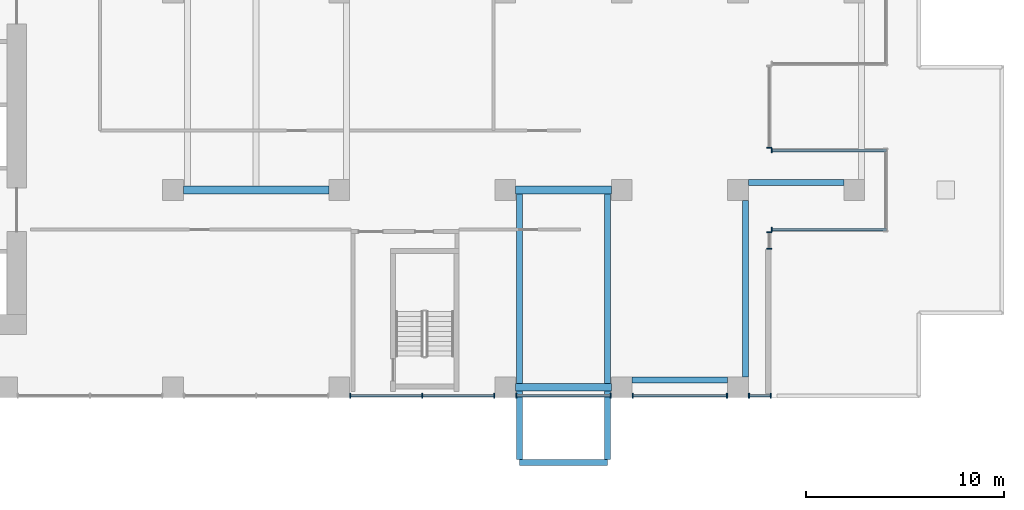
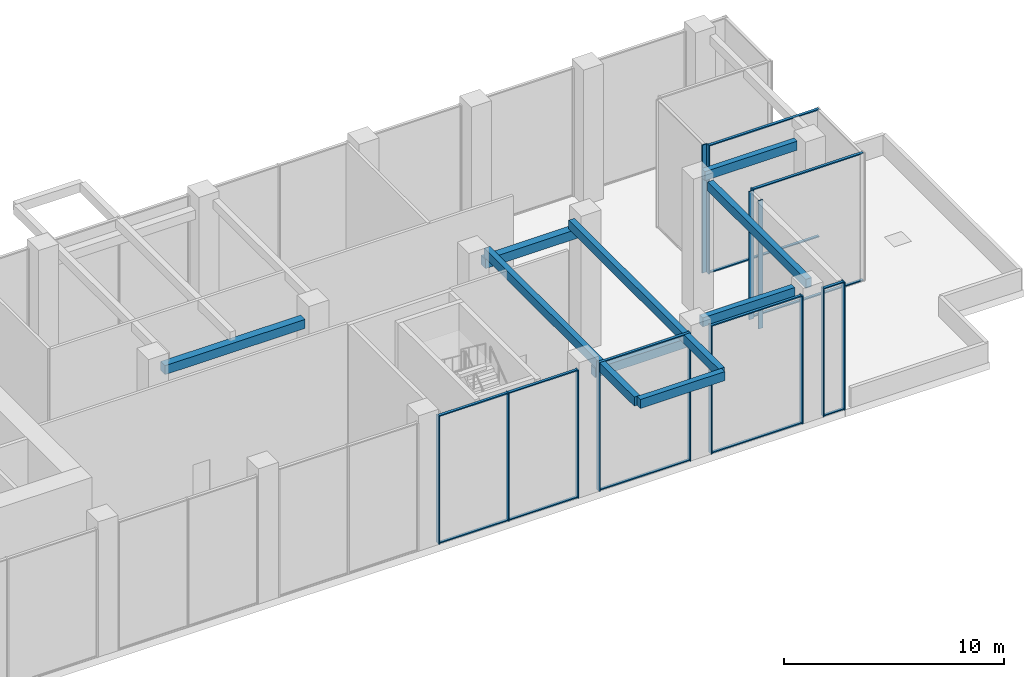
# One storey, part 4 of 18: 31 members, 6 beams, 8 elements without a shape of their own.
"""IFC4 building model written with IfcOpenShell, lengths in metres."""

from ifc_helpers import new_model, si_unit, direction, frame, origin, origin_2d, place, context, subcontext, project, spatial, rectangle, extrude, source, transform, mapped, material, layer, layer_set, material_profile, profile_set, type_object, element, aggregate, save


model = new_model("IFC4")

# Units and contexts
model_context = context("Model", 3, precision=1e-05, world=origin(), true_north=direction((0.0, 1.0)))
body_context = subcontext(model_context, "Body", "Model", "MODEL_VIEW")
ifc_project = project(units=[si_unit("LENGTHUNIT", "METRE"), si_unit("AREAUNIT", "SQUARE_METRE"), si_unit("VOLUMEUNIT", "CUBIC_METRE"), si_unit("PLANEANGLEUNIT", "RADIAN"), si_unit("MASSUNIT", "GRAM", prefix="KILO")], contexts=[model_context])

# Site, building, storey
site_placement = place(None, origin())
site = spatial("IfcSite", under=ifc_project, at=site_placement, CompositionType="ELEMENT")
building_placement = place(site_placement, origin())
building = spatial("IfcBuilding", under=site, at=building_placement, Name="Aurelian Terraces", CompositionType="ELEMENT")
storey_placement = place(building_placement, frame((0.0, 0.0, 170.3)))
storey = spatial("IfcBuildingStorey", under=building, at=storey_placement, Name="L37", CompositionType="ELEMENT", Elevation=170.3)

# Curtain wall, member
ifc_material_1 = material(Name="Anodised aluminium and clear glazing", Category="aluminium")
ifc_layer = layer(ifc_material_1, 0.2)
ifc_layer_set = layer_set([ifc_layer], Name="Lobby glazing curtain wall")
curtain_wall_type = type_object("IfcCurtainWallType", Name="Lobby glazing curtain wall", PredefinedType="NOTDEFINED", material=ifc_layer_set)
curtain_wall_1_placement = place(storey_placement, origin())
curtain_wall_1 = element("IfcCurtainWall", 1, at=curtain_wall_1_placement, inside=storey, type_object=curtain_wall_type, Name="Lobby glazing L37 F01.6", PredefinedType="NOTDEFINED")
ifc_material_2 = material(Name="Anodised aluminium", Category="aluminium")
ifc_material_profile_1 = material_profile(ifc_material_2, rectangle(XDim=0.14, YDim=0.06, at=origin_2d()))
ifc_profile_set_1 = profile_set([ifc_material_profile_1], Name="Anodised aluminium")
member_type_1 = type_object("IfcMemberType", Name="Lobby glazing transom", PredefinedType="USERDEFINED", material=ifc_profile_set_1)
member_1_placement = place(storey_placement, frame((46.785, 0.1, 0.03), z_axis=(1.0, 0.0, 0.0), x_axis=(0.0, 1.0, 0.0)))
member_1 = element("IfcMember", 2, at=member_1_placement, type_object=member_type_1, Name="CW2 transom 1.1", ObjectType="TRANSOM", PredefinedType="USERDEFINED", context=body_context, shape_type="SweptSolid", body=[
    extrude(rectangle(XDim=0.14, YDim=0.06, at=origin_2d()), origin(), (0.0, 0.0, 1.0), 4.71),
])

curtain_wall_2_placement = place(storey_placement, origin())
curtain_wall_2 = element("IfcCurtainWall", 3, at=curtain_wall_2_placement, inside=storey, type_object=curtain_wall_type, Name="Lobby glazing L37 F01.8", PredefinedType="NOTDEFINED")
member_2_placement = place(storey_placement, frame((58.545, 0.1, 0.03), z_axis=(1.0, 0.0, 0.0), x_axis=(0.0, 1.0, 0.0)))
member_2 = element("IfcMember", 4, at=member_2_placement, type_object=member_type_1, Name="CW2 transom 1.1", ObjectType="TRANSOM", PredefinedType="USERDEFINED", context=body_context, shape_type="SweptSolid", body=[
    extrude(rectangle(XDim=0.14, YDim=0.06, at=origin_2d()), origin(), (0.0, 0.0, 1.0), 1.035),
])

curtain_wall_3_placement = place(storey_placement, origin())
curtain_wall_3 = element("IfcCurtainWall", 5, at=curtain_wall_3_placement, inside=storey, type_object=curtain_wall_type, Name="Lobby glazing L37 F03.1", PredefinedType="NOTDEFINED")
member_3_placement = place(storey_placement, frame((59.7, 8.5, 0.03), z_axis=(1.0, 0.0, 0.0), x_axis=(0.0, 1.0, 0.0)))
member_3 = element("IfcMember", 6, at=member_3_placement, type_object=member_type_1, Name="CW2 transom 1.1", ObjectType="TRANSOM", PredefinedType="USERDEFINED", context=body_context, shape_type="SweptSolid", body=[
    extrude(rectangle(XDim=0.14, YDim=0.06, at=origin_2d()), origin(), (0.0, 0.0, 1.0), 5.76),
])

# Members
ifc_material_3 = material(Name="Concrete fc' 40 MPa", Category="concrete")
ifc_material_profile_2 = material_profile(ifc_material_3, rectangle(XDim=0.3, YDim=0.5, at=origin_2d()))
ifc_profile_set_2 = profile_set([ifc_material_profile_2], Name="Concrete fc' 40 MPa")
member_type_2 = type_object("IfcMemberType", Name="CONCRETE EDGE BEAM 300X500", PredefinedType="MEMBER", material=ifc_profile_set_2)
shared_shape_1 = source(origin(), body_context, "Body", "SweptSolid", [
    extrude(rectangle(XDim=0.3, YDim=0.5, at=origin_2d()), origin(), (0.0, 0.0, 1.0), 4.83),
])
for number, where, z_axis, x_axis, name in (
    (7, (63.315, 10.875, 6.85), (-1.0, 0.0, 0.0), (0.0, -1.0, 0.0), "Terrace edge member L38-X2"),
    (8, (57.435, 0.9, 6.85), (-1.0, 0.0, 0.0), (0.0, -1.0, 0.0), "Terrace edge member L38-X3"),
):
    element("IfcMember", number, at=place(storey_placement, frame(where, z_axis=z_axis, x_axis=x_axis)), inside=storey, type_object=member_type_2, Name=name, PredefinedType="MEMBER", context=body_context, shape_type="MappedRepresentation", body=[
        mapped(shared_shape_1, transform((0.0, 0.0, 0.0), scale=1.0)),
    ])
shared_shape_2 = source(origin(), body_context, "Body", "SweptSolid", [
    extrude(rectangle(XDim=0.3, YDim=0.5, at=origin_2d()), origin(), (0.0, 0.0, 1.0), 8.925),
])
member_4_placement = place(storey_placement, frame((58.335, 1.05, 6.85), z_axis=(0.0, 1.0, 0.0), x_axis=(-1.0, 0.0, 0.0)))
element("IfcMember", 9, at=member_4_placement, inside=storey, type_object=member_type_2, Name="Terrace edge member L38-X3.2", PredefinedType="MEMBER", context=body_context, shape_type="MappedRepresentation", body=[
    mapped(shared_shape_2, transform((0.0, 0.0, 0.0), scale=1.0)),
])

# Beams
ifc_material_profile_3 = material_profile(ifc_material_3, rectangle(XDim=0.4, YDim=0.5, at=origin_2d()))
ifc_profile_set_3 = profile_set([ifc_material_profile_3], Name="Concrete fc' 40 MPa")
beam_type_1 = type_object("IfcBeamType", Name="CONCRETE EDGE GIRDER 400X500", PredefinedType="BEAM", material=ifc_profile_set_3)
shared_shape_3 = source(origin(), body_context, "Body", "SweptSolid", [
    extrude(rectangle(XDim=0.4, YDim=0.5, at=origin_2d()), origin(), (0.0, 0.0, 1.0), 4.83),
])
for number, where, z_axis, x_axis, name in (
    (10, (46.725, 0.525, 6.35), (1.0, 0.0, 0.0), (0.0, 1.0, 0.0), "Box girder L37 O105"),
    (11, (46.725, 10.5, 6.35), (1.0, 0.0, 0.0), (0.0, 1.0, 0.0), "Box girder L37 I106"),
):
    element("IfcBeam", number, at=place(storey_placement, frame(where, z_axis=z_axis, x_axis=x_axis)), inside=storey, type_object=beam_type_1, Name=name, PredefinedType="BEAM", context=body_context, shape_type="MappedRepresentation", body=[
        mapped(shared_shape_3, transform((0.0, 0.0, 0.0), scale=1.0)),
    ])
ifc_material_profile_4 = material_profile(ifc_material_3, rectangle(XDim=0.3, YDim=0.5, at=origin_2d()))
ifc_profile_set_4 = profile_set([ifc_material_profile_4], Name="Concrete fc' 40 MPa")
beam_type_2 = type_object("IfcBeamType", Name="CONCRETE CANTILEVER BEAM 300X500", PredefinedType="BEAM", material=ifc_profile_set_4)
shared_shape_4 = source(origin(), body_context, "Body", "SweptSolid", [
    extrude(rectangle(XDim=0.3, YDim=0.5, at=origin_2d()), origin(), (0.0, 0.0, 1.0), 13.625),
])
for number, where, z_axis, x_axis, name in (
    (12, (46.925, -3.125, 6.85), (0.0, 1.0, 0.0), (-1.0, 0.0, 0.0), "Box cantilever beam J51.1"),
    (13, (51.355, -3.125, 6.85), (0.0, 1.0, 0.0), (-1.0, 0.0, 0.0), "Box cantilever beam J51.2"),
):
    element("IfcBeam", number, at=place(storey_placement, frame(where, z_axis=z_axis, x_axis=x_axis)), inside=storey, type_object=beam_type_2, Name=name, PredefinedType="BEAM", context=body_context, shape_type="MappedRepresentation", body=[
        mapped(shared_shape_4, transform((0.0, 0.0, 0.0), scale=1.0)),
    ])
shared_shape_5 = source(origin(), body_context, "Body", "SweptSolid", [
    extrude(rectangle(XDim=0.4, YDim=0.5, at=origin_2d()), origin(), (0.0, 0.0, 1.0), 7.35),
])
beam_1_placement = place(storey_placement, frame((29.925, 10.5, 6.35), z_axis=(1.0, 0.0, 0.0), x_axis=(0.0, 1.0, 0.0)))
element("IfcBeam", 14, at=beam_1_placement, inside=storey, type_object=beam_type_1, Name="Box girder L37 I108", PredefinedType="BEAM", context=body_context, shape_type="MappedRepresentation", body=[
    mapped(shared_shape_5, transform((0.0, 0.0, 0.0), scale=1.0)),
])
shared_shape_6 = source(origin(), body_context, "Body", "SweptSolid", [
    extrude(rectangle(XDim=0.3, YDim=0.5, at=origin_2d()), origin(), (0.0, 0.0, 1.0), 4.43),
])
beam_2_placement = place(storey_placement, frame((46.925, -3.275, 6.85), z_axis=(1.0, 0.0, 0.0), x_axis=(0.0, 1.0, 0.0)))
element("IfcBeam", 15, at=beam_2_placement, inside=storey, type_object=beam_type_2, Name="Box tip beam J51", PredefinedType="BEAM", context=body_context, shape_type="MappedRepresentation", body=[
    mapped(shared_shape_6, transform((0.0, 0.0, 0.0), scale=1.0)),
])

# Curtain wall, members
curtain_wall_4_placement = place(storey_placement, origin())
curtain_wall_4 = element("IfcCurtainWall", 16, at=curtain_wall_4_placement, inside=storey, type_object=curtain_wall_type, Name="Lobby glazing L37 F01.5", PredefinedType="NOTDEFINED")
ifc_material_profile_5 = material_profile(ifc_material_2, rectangle(XDim=0.24, YDim=0.06, at=origin_2d()))
ifc_profile_set_5 = profile_set([ifc_material_profile_5], Name="Anodised aluminium")
member_type_3 = type_object("IfcMemberType", Name="Lobby glazing mullion", PredefinedType="MULLION", material=ifc_profile_set_5)
shared_shape_7 = source(origin(), body_context, "Body", "SweptSolid", [
    extrude(rectangle(XDim=0.24, YDim=0.06, at=origin_2d()), origin(), (0.0, 0.0, 1.0), 7.1),
])
member_5_placement = place(storey_placement, frame((38.355, 0.1, 0.0), z_axis=(0.0, 0.0, 1.0), x_axis=(0.0, 1.0, 0.0)))
member_5 = element("IfcMember", 17, at=member_5_placement, type_object=member_type_3, Name="CW2 mullion 1", PredefinedType="MULLION", context=body_context, shape_type="MappedRepresentation", body=[
    mapped(shared_shape_7, transform((0.0, 0.0, 0.0), scale=1.0)),
])
member_6_placement = place(storey_placement, frame((42.0, 0.1, 0.0), z_axis=(0.0, 0.0, 1.0), x_axis=(0.0, 1.0, 0.0)))
member_6 = element("IfcMember", 18, at=member_6_placement, type_object=member_type_3, Name="CW2 mullion 2", PredefinedType="MULLION", context=body_context, shape_type="MappedRepresentation", body=[
    mapped(shared_shape_7, transform((0.0, 0.0, 0.0), scale=1.0)),
])
member_7_placement = place(storey_placement, frame((45.645, 0.1, 0.0), z_axis=(0.0, 0.0, 1.0), x_axis=(0.0, 1.0, 0.0)))
member_7 = element("IfcMember", 19, at=member_7_placement, type_object=member_type_3, Name="CW2 mullion 3", PredefinedType="MULLION", context=body_context, shape_type="MappedRepresentation", body=[
    mapped(shared_shape_7, transform((0.0, 0.0, 0.0), scale=1.0)),
])

# Member
member_8_placement = place(storey_placement, frame((46.755, 0.1, 0.0), z_axis=(0.0, 0.0, 1.0), x_axis=(0.0, 1.0, 0.0)))
member_8 = element("IfcMember", 20, at=member_8_placement, type_object=member_type_3, Name="CW2 mullion 1", PredefinedType="MULLION", context=body_context, shape_type="MappedRepresentation", body=[
    mapped(shared_shape_7, transform((0.0, 0.0, 0.0), scale=1.0)),
])

member_9_placement = place(storey_placement, frame((51.525, 0.1, 0.0), z_axis=(0.0, 0.0, 1.0), x_axis=(0.0, 1.0, 0.0)))
member_9 = element("IfcMember", 21, at=member_9_placement, type_object=member_type_3, Name="CW2 mullion 2", PredefinedType="MULLION", context=body_context, shape_type="MappedRepresentation", body=[
    mapped(shared_shape_7, transform((0.0, 0.0, 0.0), scale=1.0)),
])

# Curtain wall, members
curtain_wall_5_placement = place(storey_placement, origin())
curtain_wall_5 = element("IfcCurtainWall", 22, at=curtain_wall_5_placement, inside=storey, type_object=curtain_wall_type, Name="Lobby glazing L37 F01.7", PredefinedType="NOTDEFINED")
member_10_placement = place(storey_placement, frame((52.635, 0.1, 0.0), z_axis=(0.0, 0.0, 1.0), x_axis=(0.0, 1.0, 0.0)))
member_10 = element("IfcMember", 23, at=member_10_placement, type_object=member_type_3, Name="CW2 mullion 1", PredefinedType="MULLION", context=body_context, shape_type="MappedRepresentation", body=[
    mapped(shared_shape_7, transform((0.0, 0.0, 0.0), scale=1.0)),
])
member_11_placement = place(storey_placement, frame((57.405, 0.1, 0.0), z_axis=(0.0, 0.0, 1.0), x_axis=(0.0, 1.0, 0.0)))
member_11 = element("IfcMember", 24, at=member_11_placement, type_object=member_type_3, Name="CW2 mullion 2", PredefinedType="MULLION", context=body_context, shape_type="MappedRepresentation", body=[
    mapped(shared_shape_7, transform((0.0, 0.0, 0.0), scale=1.0)),
])

# Member
member_12_placement = place(storey_placement, frame((58.515, 0.1, 0.0), z_axis=(0.0, 0.0, 1.0), x_axis=(0.0, 1.0, 0.0)))
member_12 = element("IfcMember", 25, at=member_12_placement, type_object=member_type_3, Name="CW2 mullion 1", PredefinedType="MULLION", context=body_context, shape_type="MappedRepresentation", body=[
    mapped(shared_shape_7, transform((0.0, 0.0, 0.0), scale=1.0)),
])

member_13_placement = place(storey_placement, frame((59.61, 0.1, 0.0), z_axis=(0.0, 0.0, 1.0), x_axis=(0.0, 1.0, 0.0)))
member_13 = element("IfcMember", 26, at=member_13_placement, type_object=member_type_3, Name="CW2 mullion 2", PredefinedType="MULLION", context=body_context, shape_type="MappedRepresentation", body=[
    mapped(shared_shape_7, transform((0.0, 0.0, 0.0), scale=1.0)),
])

# Curtain wall, members
curtain_wall_6_placement = place(storey_placement, origin())
curtain_wall_6 = element("IfcCurtainWall", 27, at=curtain_wall_6_placement, inside=storey, type_object=curtain_wall_type, Name="Lobby glazing L37 F02.3", PredefinedType="NOTDEFINED")
member_14_placement = place(storey_placement, frame((59.54, 7.53, 0.0), z_axis=(0.0, 0.0, 1.0), x_axis=(-1.0, 0.0, 0.0)))
member_14 = element("IfcMember", 28, at=member_14_placement, type_object=member_type_3, Name="CW2 mullion 1", PredefinedType="MULLION", context=body_context, shape_type="MappedRepresentation", body=[
    mapped(shared_shape_7, transform((0.0, 0.0, 0.0), scale=1.0)),
])
member_15_placement = place(storey_placement, frame((59.54, 8.37, 0.0), z_axis=(0.0, 0.0, 1.0), x_axis=(-1.0, 0.0, 0.0)))
member_15 = element("IfcMember", 29, at=member_15_placement, type_object=member_type_3, Name="CW2 mullion 2", PredefinedType="MULLION", context=body_context, shape_type="MappedRepresentation", body=[
    mapped(shared_shape_7, transform((0.0, 0.0, 0.0), scale=1.0)),
])
aggregate(curtain_wall_6, [member_14, member_15])

# Member
member_16_placement = place(storey_placement, frame((59.67, 8.5, 0.0), z_axis=(0.0, 0.0, 1.0), x_axis=(0.0, 1.0, 0.0)))
member_16 = element("IfcMember", 30, at=member_16_placement, type_object=member_type_3, Name="CW2 mullion 1", PredefinedType="MULLION", context=body_context, shape_type="MappedRepresentation", body=[
    mapped(shared_shape_7, transform((0.0, 0.0, 0.0), scale=1.0)),
])

# Curtain wall, member
curtain_wall_7_placement = place(storey_placement, origin())
curtain_wall_7 = element("IfcCurtainWall", 31, at=curtain_wall_7_placement, inside=storey, type_object=curtain_wall_type, Name="Lobby glazing L37 F05.1", PredefinedType="NOTDEFINED")
member_17_placement = place(storey_placement, frame((59.67, 12.5, 0.0), z_axis=(0.0, 0.0, 1.0), x_axis=(0.0, -1.0, 0.0)))
member_17 = element("IfcMember", 32, at=member_17_placement, type_object=member_type_3, Name="CW2 mullion 2", PredefinedType="MULLION", context=body_context, shape_type="MappedRepresentation", body=[
    mapped(shared_shape_7, transform((0.0, 0.0, 0.0), scale=1.0)),
])

curtain_wall_8_placement = place(storey_placement, origin())
curtain_wall_8 = element("IfcCurtainWall", 33, at=curtain_wall_8_placement, inside=storey, type_object=curtain_wall_type, Name="Lobby glazing L37 F06.1", PredefinedType="NOTDEFINED")
member_18_placement = place(storey_placement, frame((59.54, 12.63, 0.0), z_axis=(0.0, 0.0, 1.0), x_axis=(-1.0, 0.0, 0.0)))
member_18 = element("IfcMember", 34, at=member_18_placement, type_object=member_type_3, Name="CW2 mullion 1", PredefinedType="MULLION", context=body_context, shape_type="MappedRepresentation", body=[
    mapped(shared_shape_7, transform((0.0, 0.0, 0.0), scale=1.0)),
])
aggregate(curtain_wall_8, [member_18])

# Member
shared_shape_8 = source(origin(), body_context, "Body", "SweptSolid", [
    extrude(rectangle(XDim=0.14, YDim=0.06, at=origin_2d()), origin(), (0.0, 0.0, 1.0), 3.585),
])
member_19_placement = place(storey_placement, frame((38.385, 0.1, 0.03), z_axis=(1.0, 0.0, 0.0), x_axis=(0.0, 1.0, 0.0)))
member_19 = element("IfcMember", 35, at=member_19_placement, type_object=member_type_1, Name="CW2 transom 1.1", ObjectType="TRANSOM", PredefinedType="USERDEFINED", context=body_context, shape_type="MappedRepresentation", body=[
    mapped(shared_shape_8, transform((0.0, 0.0, 0.0), scale=1.0)),
])

member_20_placement = place(storey_placement, frame((38.385, 0.1, 7.07), z_axis=(1.0, 0.0, 0.0), x_axis=(0.0, 1.0, 0.0)))
member_20 = element("IfcMember", 36, at=member_20_placement, type_object=member_type_1, Name="CW2 transom 1.2", ObjectType="TRANSOM", PredefinedType="USERDEFINED", context=body_context, shape_type="MappedRepresentation", body=[
    mapped(shared_shape_8, transform((0.0, 0.0, 0.0), scale=1.0)),
])

member_21_placement = place(storey_placement, frame((42.03, 0.1, 0.03), z_axis=(1.0, 0.0, 0.0), x_axis=(0.0, 1.0, 0.0)))
member_21 = element("IfcMember", 37, at=member_21_placement, type_object=member_type_1, Name="CW2 transom 2.1", ObjectType="TRANSOM", PredefinedType="USERDEFINED", context=body_context, shape_type="MappedRepresentation", body=[
    mapped(shared_shape_8, transform((0.0, 0.0, 0.0), scale=1.0)),
])

member_22_placement = place(storey_placement, frame((42.03, 0.1, 7.07), z_axis=(1.0, 0.0, 0.0), x_axis=(0.0, 1.0, 0.0)))
member_22 = element("IfcMember", 38, at=member_22_placement, type_object=member_type_1, Name="CW2 transom 2.2", ObjectType="TRANSOM", PredefinedType="USERDEFINED", context=body_context, shape_type="MappedRepresentation", body=[
    mapped(shared_shape_8, transform((0.0, 0.0, 0.0), scale=1.0)),
])

aggregate(curtain_wall_4, [member_5, member_6, member_7, member_19, member_20, member_21, member_22])

shared_shape_9 = source(origin(), body_context, "Body", "SweptSolid", [
    extrude(rectangle(XDim=0.14, YDim=0.06, at=origin_2d()), origin(), (0.0, 0.0, 1.0), 4.71),
])
member_23_placement = place(storey_placement, frame((46.785, 0.1, 7.07), z_axis=(1.0, 0.0, 0.0), x_axis=(0.0, 1.0, 0.0)))
member_23 = element("IfcMember", 39, at=member_23_placement, type_object=member_type_1, Name="CW2 transom 1.2", ObjectType="TRANSOM", PredefinedType="USERDEFINED", context=body_context, shape_type="MappedRepresentation", body=[
    mapped(shared_shape_9, transform((0.0, 0.0, 0.0), scale=1.0)),
])

aggregate(curtain_wall_1, [member_8, member_9, member_1, member_23])

member_24_placement = place(storey_placement, frame((52.665, 0.1, 0.03), z_axis=(1.0, 0.0, 0.0), x_axis=(0.0, 1.0, 0.0)))
member_24 = element("IfcMember", 40, at=member_24_placement, type_object=member_type_1, Name="CW2 transom 1.1", ObjectType="TRANSOM", PredefinedType="USERDEFINED", context=body_context, shape_type="MappedRepresentation", body=[
    mapped(shared_shape_9, transform((0.0, 0.0, 0.0), scale=1.0)),
])

member_25_placement = place(storey_placement, frame((52.665, 0.1, 7.07), z_axis=(1.0, 0.0, 0.0), x_axis=(0.0, 1.0, 0.0)))
member_25 = element("IfcMember", 41, at=member_25_placement, type_object=member_type_1, Name="CW2 transom 1.2", ObjectType="TRANSOM", PredefinedType="USERDEFINED", context=body_context, shape_type="MappedRepresentation", body=[
    mapped(shared_shape_9, transform((0.0, 0.0, 0.0), scale=1.0)),
])

aggregate(curtain_wall_5, [member_10, member_11, member_24, member_25])

shared_shape_10 = source(origin(), body_context, "Body", "SweptSolid", [
    extrude(rectangle(XDim=0.14, YDim=0.06, at=origin_2d()), origin(), (0.0, 0.0, 1.0), 1.035),
])
member_26_placement = place(storey_placement, frame((58.545, 0.1, 7.07), z_axis=(1.0, 0.0, 0.0), x_axis=(0.0, 1.0, 0.0)))
member_26 = element("IfcMember", 42, at=member_26_placement, type_object=member_type_1, Name="CW2 transom 1.2", ObjectType="TRANSOM", PredefinedType="USERDEFINED", context=body_context, shape_type="MappedRepresentation", body=[
    mapped(shared_shape_10, transform((0.0, 0.0, 0.0), scale=1.0)),
])

aggregate(curtain_wall_2, [member_12, member_13, member_2, member_26])

shared_shape_11 = source(origin(), body_context, "Body", "SweptSolid", [
    extrude(rectangle(XDim=0.14, YDim=0.06, at=origin_2d()), origin(), (0.0, 0.0, 1.0), 5.76),
])
member_27_placement = place(storey_placement, frame((59.7, 8.5, 7.07), z_axis=(1.0, 0.0, 0.0), x_axis=(0.0, 1.0, 0.0)))
member_27 = element("IfcMember", 43, at=member_27_placement, type_object=member_type_1, Name="CW2 transom 1.2", ObjectType="TRANSOM", PredefinedType="USERDEFINED", context=body_context, shape_type="MappedRepresentation", body=[
    mapped(shared_shape_11, transform((0.0, 0.0, 0.0), scale=1.0)),
])

aggregate(curtain_wall_3, [member_16, member_3, member_27])

member_28_placement = place(storey_placement, frame((65.46, 12.5, 0.03), z_axis=(-1.0, 0.0, 0.0), x_axis=(0.0, -1.0, 0.0)))
member_28 = element("IfcMember", 44, at=member_28_placement, type_object=member_type_1, Name="CW2 transom 1.1", ObjectType="TRANSOM", PredefinedType="USERDEFINED", context=body_context, shape_type="MappedRepresentation", body=[
    mapped(shared_shape_11, transform((0.0, 0.0, 0.0), scale=1.0)),
])

member_29_placement = place(storey_placement, frame((65.46, 12.5, 7.07), z_axis=(-1.0, 0.0, 0.0), x_axis=(0.0, -1.0, 0.0)))
member_29 = element("IfcMember", 45, at=member_29_placement, type_object=member_type_1, Name="CW2 transom 1.2", ObjectType="TRANSOM", PredefinedType="USERDEFINED", context=body_context, shape_type="MappedRepresentation", body=[
    mapped(shared_shape_11, transform((0.0, 0.0, 0.0), scale=1.0)),
])

aggregate(curtain_wall_7, [member_17, member_28, member_29])

save(model, "model.ifc")
